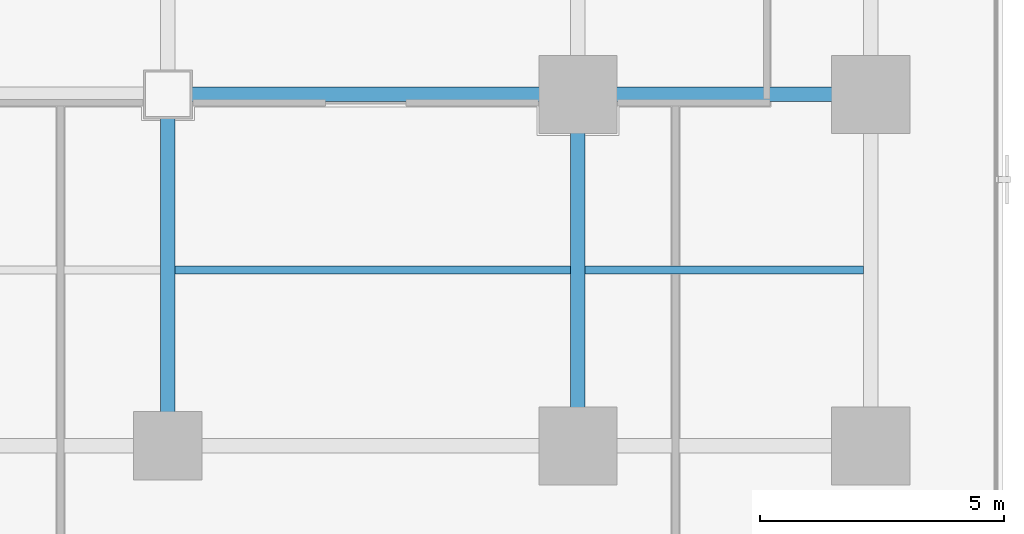
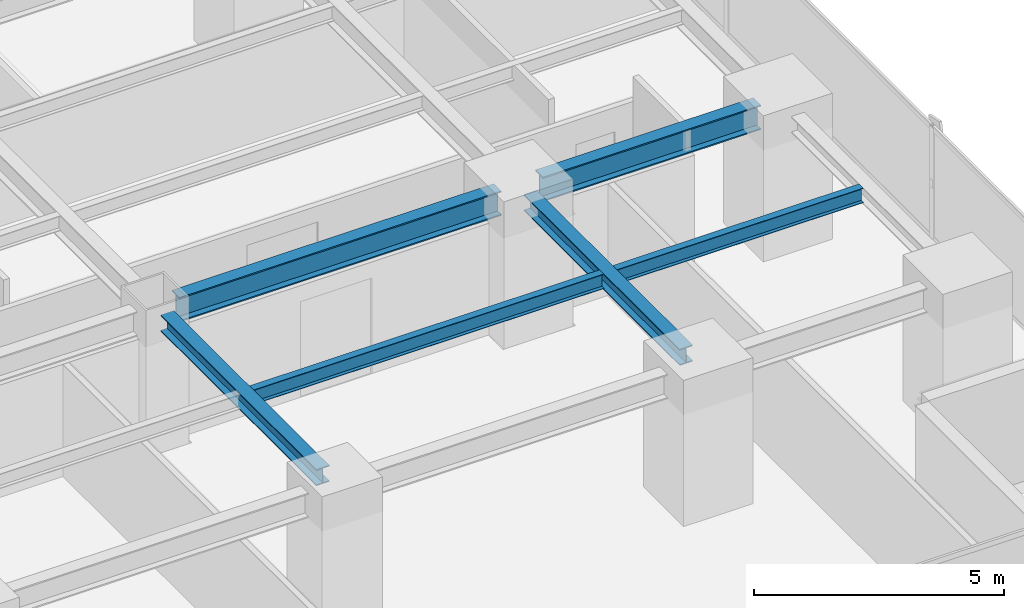
# One storey, part 13 of 36: 6 beams.
"""IFC4 building model written with IfcOpenShell, lengths in metres."""

from ifc_helpers import new_model, si_unit, direction, frame, origin, origin_2d, place, context, subcontext, project, spatial, i_section, extrude, source, transform, mapped, material, material_profile, profile_set, type_object, element, save


model = new_model("IFC4")

# Units and contexts
model_context = context("Model", 3, precision=1e-05, world=origin(), true_north=direction((0.0, 1.0)))
body_context = subcontext(model_context, "Body", "Model", "MODEL_VIEW")
ifc_project = project(units=[si_unit("LENGTHUNIT", "METRE"), si_unit("AREAUNIT", "SQUARE_METRE"), si_unit("VOLUMEUNIT", "CUBIC_METRE"), si_unit("PLANEANGLEUNIT", "RADIAN"), si_unit("MASSUNIT", "GRAM", prefix="KILO")], contexts=[model_context])

# Site, building, storey
site_placement = place(None, origin())
site = spatial("IfcSite", under=ifc_project, at=site_placement, CompositionType="ELEMENT")
building_placement = place(site_placement, origin())
building = spatial("IfcBuilding", under=site, at=building_placement, Name="Sumidabori Civic Tower", CompositionType="ELEMENT")
storey_placement = place(building_placement, frame((0.0, 0.0, 77.60009765625)))
storey = spatial("IfcBuildingStorey", under=building, at=storey_placement, Name="L19", CompositionType="ELEMENT", Elevation=77.60009765625)

# Beams
ifc_material = material(Name="Steel SN490", Category="steel")
ifc_material_profile_1 = material_profile(ifc_material, i_section(OverallWidth=0.300048828125, OverallDepth=0.60009765625, WebThickness=0.015380859375, FlangeThickness=0.030029296875, at=origin_2d()), Name="HE 600 B")
ifc_profile_set_1 = profile_set([ifc_material_profile_1], Name="Steel SN490")
beam_type_1 = type_object("IfcBeamType", Name="BM-GIRD-600", PredefinedType="BEAM", material=ifc_profile_set_1)
shared_shape_1 = source(origin(), body_context, "Body", "SweptSolid", [
    extrude(i_section(OverallWidth=0.300048828125, OverallDepth=0.60009765625, WebThickness=0.015380859375, FlangeThickness=0.030029296875, at=origin_2d()), origin(), (0.0, 0.0, 1.0), 5.0400390625),
])
beam_1_placement = place(storey_placement, frame((17.280029296875, -10.800048828125, 3.059814453125), z_axis=(1.0, 0.0, 0.0), x_axis=(0.0, 1.0, 0.0)))
element("IfcBeam", 1, at=beam_1_placement, inside=storey, type_object=beam_type_1, Name="Primary Girder L19 GX-12", PredefinedType="BEAM", context=body_context, shape_type="MappedRepresentation", body=[
    mapped(shared_shape_1, transform((0.0, 0.0, 0.0), x_axis=(1.0, 0.0, 0.0), y_axis=(0.0, 1.0, 0.0), z_axis=(0.0, 0.0, 1.0), scale=1.0)),
])
shared_shape_2 = source(origin(), body_context, "Body", "SweptSolid", [
    extrude(i_section(OverallWidth=0.300048828125, OverallDepth=0.60009765625, WebThickness=0.015380859375, FlangeThickness=0.030029296875, at=origin_2d()), origin(), (0.0, 0.0, 1.0), 7.440185546875),
])
beam_2_placement = place(storey_placement, frame((8.8798828125, -10.800048828125, 3.059814453125), z_axis=(1.0, 0.0, 0.0), x_axis=(0.0, 1.0, 0.0)))
element("IfcBeam", 2, at=beam_2_placement, inside=storey, type_object=beam_type_1, Name="Primary Girder L19 GX-11", PredefinedType="BEAM", context=body_context, shape_type="MappedRepresentation", body=[
    mapped(shared_shape_2, transform((0.0, 0.0, 0.0), x_axis=(1.0, 0.0, 0.0), y_axis=(0.0, 1.0, 0.0), z_axis=(0.0, 0.0, 1.0), scale=1.0)),
])
ifc_material_profile_2 = material_profile(ifc_material, i_section(OverallWidth=0.300048828125, OverallDepth=0.39990234375, WebThickness=0.013427734375, FlangeThickness=0.02392578125, at=origin_2d()), Name="HE 400 B")
ifc_profile_set_2 = profile_set([ifc_material_profile_2], Name="Steel SN490")
beam_type_2 = type_object("IfcBeamType", Name="BM-GIRD-400", PredefinedType="BEAM", material=ifc_profile_set_2)
shared_shape_3 = source(origin(), body_context, "Body", "SweptSolid", [
    extrude(i_section(OverallWidth=0.300048828125, OverallDepth=0.39990234375, WebThickness=0.013427734375, FlangeThickness=0.02392578125, at=origin_2d()), origin(), (0.0, 0.0, 1.0), 6.239990234375),
])
for number, where, z_axis, x_axis, name in (
    (3, (8.39990234375, -17.52001953125, 3.159912109375), (0.0, 1.0, 0.0), (-1.0, 0.0, 0.0), "Primary Girder L19 GY-33"),
    (4, (16.800048828125, -17.52001953125, 3.159912109375), (0.0, 1.0, 0.0), (-1.0, 0.0, 0.0), "Primary Girder L19 GY-35"),
):
    element("IfcBeam", number, at=place(storey_placement, frame(where, z_axis=z_axis, x_axis=x_axis)), inside=storey, type_object=beam_type_2, Name=name, PredefinedType="BEAM", context=body_context, shape_type="MappedRepresentation", body=[
        mapped(shared_shape_3, transform((0.0, 0.0, 0.0), x_axis=(1.0, 0.0, 0.0), y_axis=(0.0, 1.0, 0.0), z_axis=(0.0, 0.0, 1.0), scale=1.0)),
    ])
ifc_material_profile_3 = material_profile(ifc_material, i_section(OverallWidth=0.169921875, OverallDepth=0.360107421875, WebThickness=0.008056640625, FlangeThickness=0.0126953125, at=origin_2d()), Name="IPE 360")
ifc_profile_set_3 = profile_set([ifc_material_profile_3], Name="Steel SN490")
beam_type_3 = type_object("IfcBeamType", Name="BM-JST-360", PredefinedType="JOIST", material=ifc_profile_set_3)
shared_shape_4 = source(origin(), body_context, "Body", "SweptSolid", [
    extrude(i_section(OverallWidth=0.169921875, OverallDepth=0.360107421875, WebThickness=0.008056640625, FlangeThickness=0.0126953125, at=origin_2d()), origin(), (0.0, 0.0, 1.0), 5.699951171875),
])
beam_3_placement = place(storey_placement, frame((16.949951171875, -14.39990234375, 3.179931640625), z_axis=(1.0, 0.0, 0.0), x_axis=(0.0, 1.0, 0.0)))
element("IfcBeam", 5, at=beam_3_placement, inside=storey, type_object=beam_type_3, Name="Outer Bay Floor Joist L19 JSTO-52", PredefinedType="JOIST", context=body_context, shape_type="MappedRepresentation", body=[
    mapped(shared_shape_4, transform((0.0, 0.0, 0.0), x_axis=(1.0, 0.0, 0.0), y_axis=(0.0, 1.0, 0.0), z_axis=(0.0, 0.0, 1.0), scale=1.0)),
])
shared_shape_5 = source(origin(), body_context, "Body", "SweptSolid", [
    extrude(i_section(OverallWidth=0.169921875, OverallDepth=0.360107421875, WebThickness=0.008056640625, FlangeThickness=0.0126953125, at=origin_2d()), origin(), (0.0, 0.0, 1.0), 8.099853515625),
])
beam_4_placement = place(storey_placement, frame((8.550048828125, -14.39990234375, 3.179931640625), z_axis=(1.0, 0.0, 0.0), x_axis=(0.0, 1.0, 0.0)))
element("IfcBeam", 6, at=beam_4_placement, inside=storey, type_object=beam_type_3, Name="South Bay Floor Joist L19 JSTS-58", PredefinedType="JOIST", context=body_context, shape_type="MappedRepresentation", body=[
    mapped(shared_shape_5, transform((0.0, 0.0, 0.0), x_axis=(1.0, 0.0, 0.0), y_axis=(0.0, 1.0, 0.0), z_axis=(0.0, 0.0, 1.0), scale=1.0)),
])

save(model, "model.ifc")
